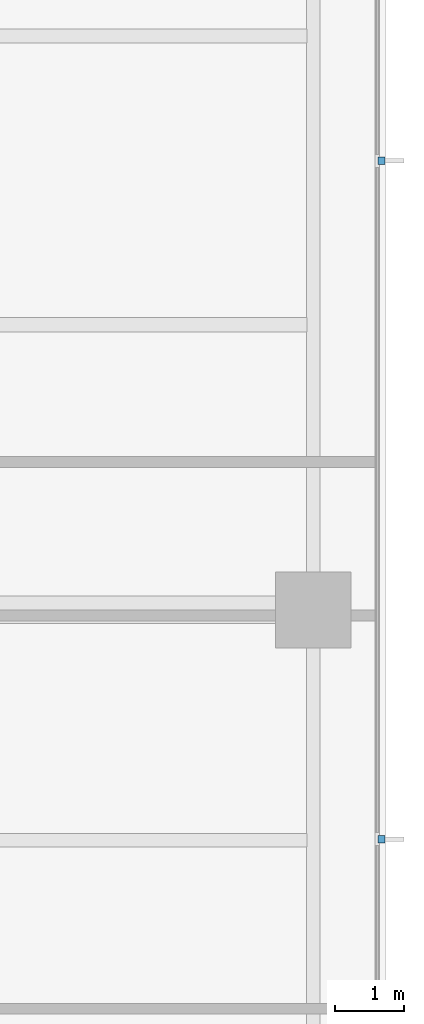
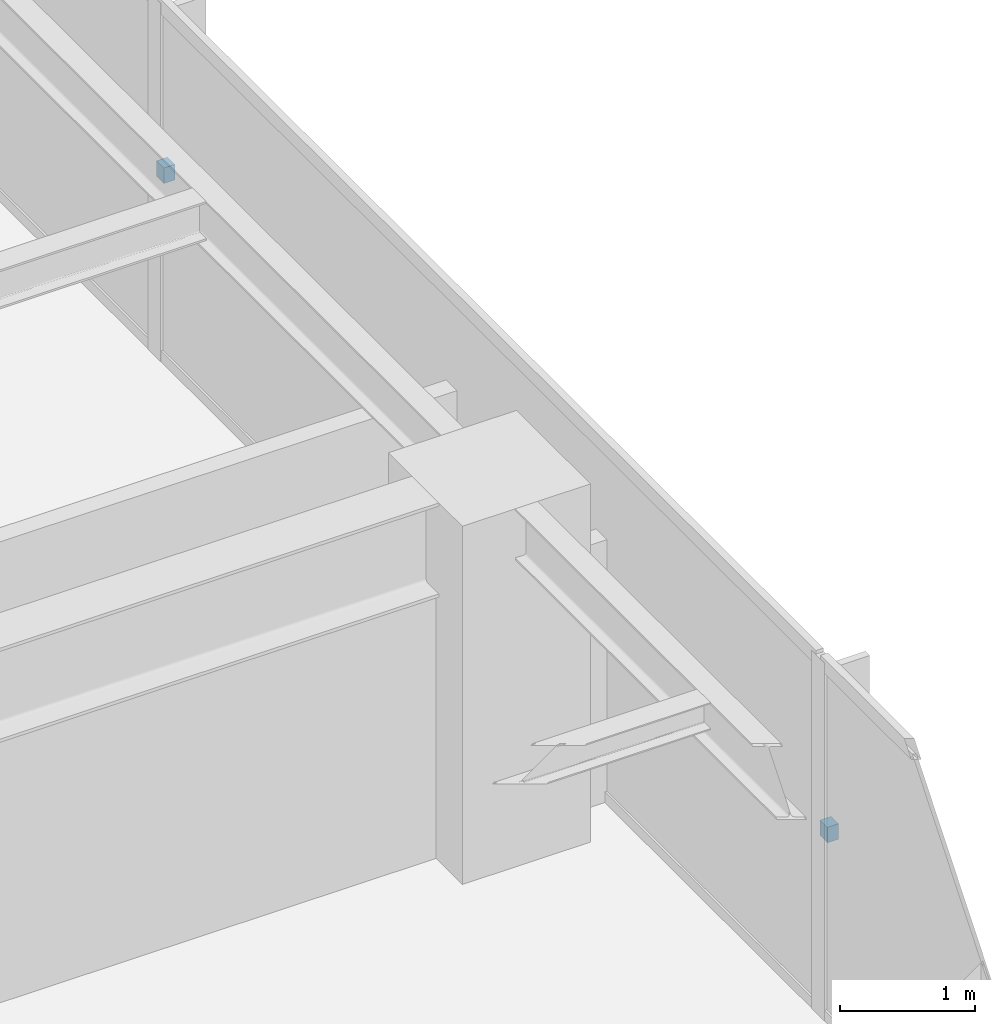
# One storey, part 12 of 15: 2 discrete accessories.
"""IFC4 building model written with IfcOpenShell, lengths in metres."""

from ifc_helpers import new_model, si_unit, direction, frame, origin, place, context, subcontext, project, spatial, polyline, outline, extrude, material, type_object, element, save


model = new_model("IFC4")

# Units and contexts
model_context = context("Model", 3, precision=1e-05, world=origin(), true_north=direction((0.0, 1.0)))
body_context = subcontext(model_context, "Body", "Model", "MODEL_VIEW")
ifc_project = project(units=[si_unit("LENGTHUNIT", "METRE"), si_unit("AREAUNIT", "SQUARE_METRE"), si_unit("VOLUMEUNIT", "CUBIC_METRE"), si_unit("PLANEANGLEUNIT", "RADIAN"), si_unit("MASSUNIT", "GRAM", prefix="KILO")], contexts=[model_context])

# Site, building, storey
site_placement = place(None, origin())
site = spatial("IfcSite", under=ifc_project, at=site_placement, CompositionType="ELEMENT")
building_placement = place(site_placement, origin())
building = spatial("IfcBuilding", under=site, at=building_placement, Name="Qalmaran Belvedere Hotel", CompositionType="ELEMENT")
storey_placement = place(building_placement, frame((0.0, 0.0, 163.10009765625)))
storey = spatial("IfcBuildingStorey", under=building, at=storey_placement, Name="L41", CompositionType="ELEMENT", Elevation=163.10009765625)

# Discrete accessories
ifc_material = material(Name="Stainless Steel 1.4401", Category="steel")
discrete_accessory_type = type_object("IfcDiscreteAccessoryType", Name="BRK-FIN-SS316", PredefinedType="BRACKET", material=ifc_material)
discrete_accessory_1_placement = place(storey_placement, frame((0.0, 0.0, 1.574951171875)))
element("IfcDiscreteAccessory", 1, at=discrete_accessory_1_placement, inside=storey, type_object=discrete_accessory_type, Name="L41 Fin Bracket 1", PredefinedType="BRACKET", context=body_context, shape_type="SweptSolid", body=[
    extrude(outline(polyline([(56.094970703125, 17.11181640625), (56.18994140625, 17.11181640625), (56.18994140625, 17.2216796875), (56.094970703125, 17.2216796875), (56.094970703125, 17.11181640625)])), origin(), (0.0, 0.0, 1.0), 0.139892578125),
])
discrete_accessory_2_placement = place(storey_placement, frame((0.0, 0.0, 1.574951171875)))
element("IfcDiscreteAccessory", 2, at=discrete_accessory_2_placement, inside=storey, type_object=discrete_accessory_type, Name="L41 Fin Bracket 2", PredefinedType="BRACKET", context=body_context, shape_type="SweptSolid", body=[
    extrude(outline(polyline([(56.094970703125, 26.978271484375), (56.18994140625, 26.978271484375), (56.18994140625, 27.08837890625), (56.094970703125, 27.08837890625), (56.094970703125, 26.978271484375)])), origin(), (0.0, 0.0, 1.0), 0.139892578125),
])

save(model, "model.ifc")
